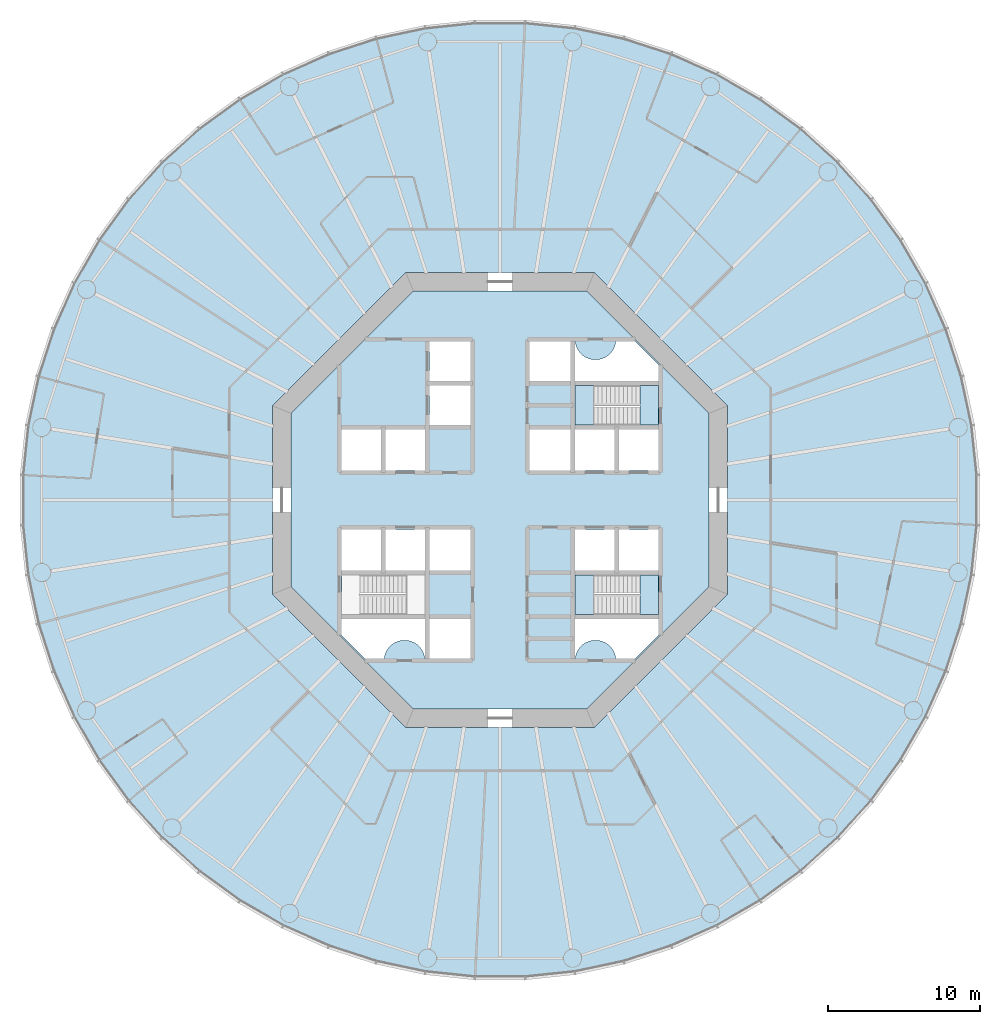
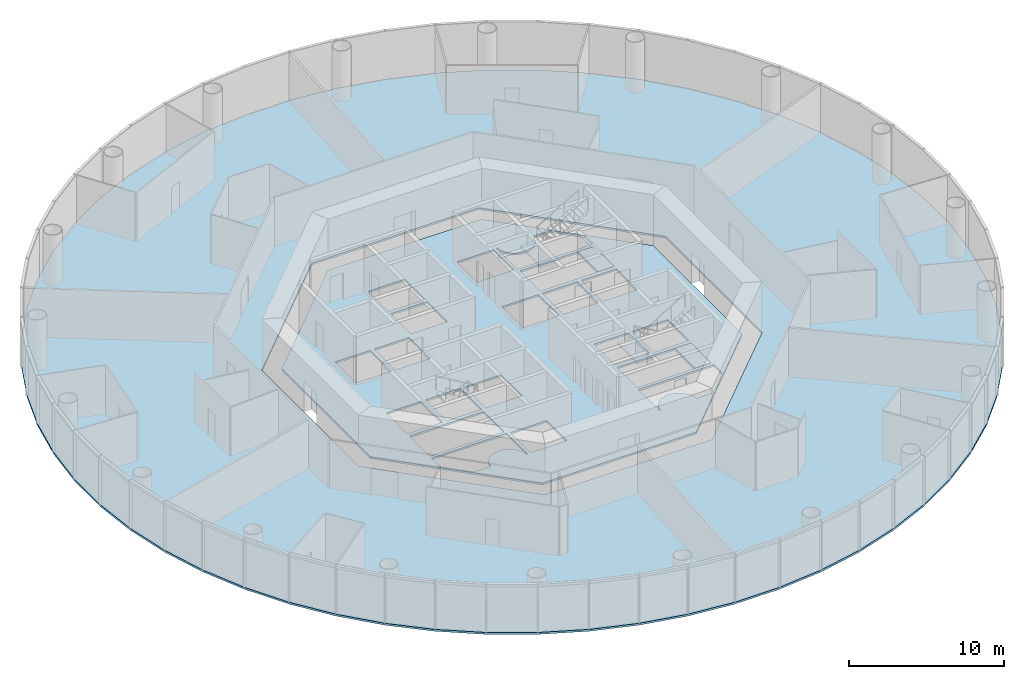
# One storey, part 2 of 13: 6 slabs, 2 elements without a shape of their own.
"""IFC4 building model written with IfcOpenShell, lengths in metres."""

from ifc_helpers import new_model, si_unit, direction, frame, origin, place, context, subcontext, project, spatial, polyline, outline, extrude, material, layer, layer_set, type_object, element, aggregate, save


model = new_model("IFC4")

# Units and contexts
model_context = context("Model", 3, precision=1e-05, world=origin(), true_north=direction((0.0, 1.0)))
body_context = subcontext(model_context, "Body", "Model", "MODEL_VIEW")
ifc_project = project(units=[si_unit("LENGTHUNIT", "METRE"), si_unit("AREAUNIT", "SQUARE_METRE"), si_unit("VOLUMEUNIT", "CUBIC_METRE"), si_unit("PLANEANGLEUNIT", "RADIAN"), si_unit("MASSUNIT", "GRAM", prefix="KILO")], contexts=[model_context])

# Site, building, storey
site_placement = place(None, origin())
site = spatial("IfcSite", under=ifc_project, at=site_placement, CompositionType="ELEMENT")
building_placement = place(site_placement, origin())
building = spatial("IfcBuilding", under=site, at=building_placement, Name="Entoto Ring Tower", CompositionType="ELEMENT")
storey_placement = place(building_placement, frame((0.0, 0.0, 84.0)))
storey = spatial("IfcBuildingStorey", under=building, at=storey_placement, Name="L18", CompositionType="ELEMENT", Elevation=84.0)

# Slabs
ifc_material_1 = material(Name="Concrete C30/37", Category="concrete")
ifc_layer_1 = layer(ifc_material_1, 0.14990234375)
ifc_layer_set_1 = layer_set([ifc_layer_1], Name="Concrete C30/37")
slab_type_1 = type_object("IfcSlabType", Name="Composite floor slab 150 mm", PredefinedType="FLOOR", material=ifc_layer_set_1)
slab_1_placement = place(storey_placement, frame((0.0, 0.0, -0.14990234375)))
element("IfcSlab", 1, at=slab_1_placement, inside=storey, type_object=slab_type_1, Name="Floor slab L18", PredefinedType="FLOOR", context=body_context, shape_type="SweptSolid", body=[
    extrude(outline(polyline([(121.2109375, 84.943359375), (120.523193359375, 88.1787109375), (119.501220703125, 91.324462890625), (118.15576171875, 94.34619140625), (116.501953125, 97.210693359375), (114.557861328125, 99.886474609375), (112.344482421875, 102.344482421875), (109.886474609375, 104.557861328125), (107.210693359375, 106.501953125), (104.34619140625, 108.15576171875), (101.324462890625, 109.501220703125), (98.1787109375, 110.523193359375), (94.943359375, 111.2109375), (91.65380859375, 111.556640625), (88.34619140625, 111.556640625), (85.056640625, 111.2109375), (81.8212890625, 110.523193359375), (78.675537109375, 109.501220703125), (75.65380859375, 108.15576171875), (72.789306640625, 106.501953125), (70.113525390625, 104.557861328125), (67.655517578125, 102.344482421875), (65.442138671875, 99.886474609375), (63.498046875, 97.210693359375), (61.84423828125, 94.34619140625), (60.498779296875, 91.324462890625), (59.476806640625, 88.1787109375), (58.7890625, 84.943359375), (58.443359375, 81.65380859375), (58.443359375, 78.34619140625), (58.7890625, 75.056640625), (59.476806640625, 71.8212890625), (60.498779296875, 68.675537109375), (61.84423828125, 65.65380859375), (63.498046875, 62.789306640625), (65.442138671875, 60.113525390625), (67.655517578125, 57.655517578125), (70.113525390625, 55.442138671875), (72.789306640625, 53.498046875), (75.65380859375, 51.84423828125), (78.675537109375, 50.498779296875), (81.8212890625, 49.476806640625), (85.056640625, 48.7890625), (88.34619140625, 48.443359375), (91.65380859375, 48.443359375), (94.943359375, 48.7890625), (98.1787109375, 49.476806640625), (101.324462890625, 50.498779296875), (104.34619140625, 51.84423828125), (107.210693359375, 53.498046875), (109.886474609375, 55.442138671875), (112.344482421875, 57.655517578125), (114.557861328125, 60.113525390625), (116.501953125, 62.789306640625), (118.15576171875, 65.65380859375), (119.501220703125, 68.675537109375), (120.523193359375, 71.8212890625), (121.2109375, 75.056640625), (121.556640625, 78.34619140625), (121.556640625, 81.65380859375), (121.2109375, 84.943359375)]), holes=[polyline([(105.0, 73.786865234375), (105.0, 86.213134765625), (96.213134765625, 95.0), (83.786865234375, 95.0), (75.0, 86.213134765625), (75.0, 73.786865234375), (83.786865234375, 65.0), (96.213134765625, 65.0), (105.0, 73.786865234375)])]), origin(), (0.0, 0.0, 1.0), 0.14990234375),
])
ifc_material_2 = material(Name="Concrete C40/50", Category="concrete")
ifc_layer_2 = layer(ifc_material_2, 0.14990234375)
ifc_layer_set_2 = layer_set([ifc_layer_2], Name="Concrete C40/50")
slab_type_2 = type_object("IfcSlabType", Name="Core floor slab 150 mm reinforced concrete C40/50", PredefinedType="FLOOR", material=ifc_layer_set_2)
slab_2_placement = place(storey_placement, frame((0.0, 0.0, -0.14990234375)))
element("IfcSlab", 2, at=slab_2_placement, inside=storey, type_object=slab_type_2, Name="Core floor L18", PredefinedType="FLOOR", context=body_context, shape_type="SweptSolid", body=[
    extrude(outline(polyline([(103.800048828125, 74.283935546875), (103.800048828125, 85.716064453125), (95.716064453125, 93.800048828125), (84.283935546875, 93.800048828125), (76.199951171875, 85.716064453125), (76.199951171875, 74.283935546875), (84.283935546875, 66.199951171875), (95.716064453125, 66.199951171875), (103.800048828125, 74.283935546875)]), holes=[polyline([(100.449951171875, 84.949951171875), (100.449951171875, 87.550048828125), (94.949951171875, 87.550048828125), (94.949951171875, 84.949951171875), (100.449951171875, 84.949951171875)]), polyline([(85.050048828125, 72.449951171875), (85.050048828125, 75.050048828125), (79.550048828125, 75.050048828125), (79.550048828125, 72.449951171875), (85.050048828125, 72.449951171875)]), polyline([(100.449951171875, 72.449951171875), (100.449951171875, 75.050048828125), (94.949951171875, 75.050048828125), (94.949951171875, 72.449951171875), (100.449951171875, 72.449951171875)]), polyline([(94.949951171875, 81.949951171875), (97.550048828125, 81.949951171875), (97.550048828125, 84.64990234375), (94.949951171875, 84.64990234375), (94.949951171875, 81.949951171875)]), polyline([(97.85009765625, 81.949951171875), (100.449951171875, 81.949951171875), (100.449951171875, 84.64990234375), (97.85009765625, 84.64990234375), (97.85009765625, 81.949951171875)]), polyline([(82.449951171875, 81.949951171875), (85.050048828125, 81.949951171875), (85.050048828125, 84.64990234375), (82.449951171875, 84.64990234375), (82.449951171875, 81.949951171875)]), polyline([(94.949951171875, 75.35009765625), (97.550048828125, 75.35009765625), (97.550048828125, 78.050048828125), (94.949951171875, 78.050048828125), (94.949951171875, 75.35009765625)]), polyline([(97.85009765625, 75.35009765625), (100.449951171875, 75.35009765625), (100.449951171875, 78.050048828125), (97.85009765625, 78.050048828125), (97.85009765625, 75.35009765625)]), polyline([(82.449951171875, 75.35009765625), (85.050048828125, 75.35009765625), (85.050048828125, 78.050048828125), (82.449951171875, 78.050048828125), (82.449951171875, 75.35009765625)]), polyline([(79.550048828125, 81.949951171875), (82.14990234375, 81.949951171875), (82.14990234375, 84.64990234375), (79.550048828125, 84.64990234375), (79.550048828125, 81.949951171875)]), polyline([(79.550048828125, 75.35009765625), (82.14990234375, 75.35009765625), (82.14990234375, 78.050048828125), (79.550048828125, 78.050048828125), (79.550048828125, 75.35009765625)]), polyline([(91.949951171875, 87.85009765625), (94.64990234375, 87.85009765625), (94.64990234375, 90.449951171875), (91.949951171875, 90.449951171875), (91.949951171875, 87.85009765625)]), polyline([(85.35009765625, 69.550048828125), (88.050048828125, 69.550048828125), (88.050048828125, 72.14990234375), (85.35009765625, 72.14990234375), (85.35009765625, 69.550048828125)]), polyline([(91.949951171875, 81.949951171875), (94.64990234375, 81.949951171875), (94.64990234375, 84.64990234375), (91.949951171875, 84.64990234375), (91.949951171875, 81.949951171875)]), polyline([(85.35009765625, 75.35009765625), (88.050048828125, 75.35009765625), (88.050048828125, 78.050048828125), (85.35009765625, 78.050048828125), (85.35009765625, 75.35009765625)]), polyline([(85.35009765625, 84.949951171875), (88.050048828125, 84.949951171875), (88.050048828125, 87.550048828125), (85.35009765625, 87.550048828125), (85.35009765625, 84.949951171875)]), polyline([(85.35009765625, 87.85009765625), (88.050048828125, 87.85009765625), (88.050048828125, 90.449951171875), (85.35009765625, 90.449951171875), (85.35009765625, 87.85009765625)]), polyline([(94.89990234375, 90.5), (94.89990234375, 87.800048828125), (100.5, 87.800048828125), (100.5, 88.874755859375), (98.874755859375, 90.5), (97.64501953125, 90.5), (97.6435546875, 90.4677734375), (97.6240234375, 90.336669921875), (97.591796875, 90.2080078125), (97.547119140625, 90.08349609375), (97.490478515625, 89.963623046875), (97.422607421875, 89.85009765625), (97.343505859375, 89.74365234375), (97.254638671875, 89.6455078125), (97.156494140625, 89.556396484375), (97.050048828125, 89.4775390625), (96.936279296875, 89.409423828125), (96.816650390625, 89.352783203125), (96.69189453125, 89.30810546875), (96.5634765625, 89.27587890625), (96.432373046875, 89.256591796875), (96.300048828125, 89.25), (96.167724609375, 89.256591796875), (96.03662109375, 89.27587890625), (95.908203125, 89.30810546875), (95.783447265625, 89.352783203125), (95.66357421875, 89.409423828125), (95.550048828125, 89.4775390625), (95.443603515625, 89.556396484375), (95.345458984375, 89.6455078125), (95.25634765625, 89.74365234375), (95.177490234375, 89.85009765625), (95.109375, 89.963623046875), (95.052734375, 90.08349609375), (95.008056640625, 90.2080078125), (94.975830078125, 90.336669921875), (94.95654296875, 90.4677734375), (94.954833984375, 90.5), (94.89990234375, 90.5)]), polyline([(79.5, 71.125244140625), (81.125244140625, 69.5), (82.35498046875, 69.5), (82.3564453125, 69.5322265625), (82.3759765625, 69.663330078125), (82.408203125, 69.7919921875), (82.452880859375, 69.91650390625), (82.509521484375, 70.036376953125), (82.577392578125, 70.14990234375), (82.656494140625, 70.25634765625), (82.745361328125, 70.3544921875), (82.843505859375, 70.443603515625), (82.949951171875, 70.5224609375), (83.063720703125, 70.590576171875), (83.183349609375, 70.647216796875), (83.30810546875, 70.69189453125), (83.4365234375, 70.72412109375), (83.567626953125, 70.743408203125), (83.699951171875, 70.75), (83.832275390625, 70.743408203125), (83.96337890625, 70.72412109375), (84.091796875, 70.69189453125), (84.216552734375, 70.647216796875), (84.33642578125, 70.590576171875), (84.449951171875, 70.5224609375), (84.556396484375, 70.443603515625), (84.654541015625, 70.3544921875), (84.74365234375, 70.25634765625), (84.822509765625, 70.14990234375), (84.890625, 70.036376953125), (84.947265625, 69.91650390625), (84.991943359375, 69.7919921875), (85.024169921875, 69.663330078125), (85.04345703125, 69.5322265625), (85.045166015625, 69.5), (85.10009765625, 69.5), (85.10009765625, 72.199951171875), (79.5, 72.199951171875), (79.5, 71.125244140625)]), polyline([(97.64501953125, 69.5), (98.874755859375, 69.5), (100.5, 71.125244140625), (100.5, 72.199951171875), (94.89990234375, 72.199951171875), (94.89990234375, 69.5), (94.954833984375, 69.5), (94.95654296875, 69.5322265625), (94.975830078125, 69.663330078125), (95.008056640625, 69.7919921875), (95.052734375, 69.91650390625), (95.109375, 70.036376953125), (95.177490234375, 70.14990234375), (95.25634765625, 70.25634765625), (95.345458984375, 70.3544921875), (95.443603515625, 70.443603515625), (95.550048828125, 70.5224609375), (95.66357421875, 70.590576171875), (95.783447265625, 70.647216796875), (95.908203125, 70.69189453125), (96.03662109375, 70.72412109375), (96.167724609375, 70.743408203125), (96.300048828125, 70.75), (96.432373046875, 70.743408203125), (96.5634765625, 70.72412109375), (96.69189453125, 70.69189453125), (96.816650390625, 70.647216796875), (96.936279296875, 70.590576171875), (97.050048828125, 70.5224609375), (97.156494140625, 70.443603515625), (97.254638671875, 70.3544921875), (97.343505859375, 70.25634765625), (97.422607421875, 70.14990234375), (97.490478515625, 70.036376953125), (97.547119140625, 69.91650390625), (97.591796875, 69.7919921875), (97.6240234375, 69.663330078125), (97.6435546875, 69.5322265625), (97.64501953125, 69.5)])]), origin(), (0.0, 0.0, 1.0), 0.14990234375),
])

# Stair, slabs
ifc_material_3 = material(Name="Concrete C40/50", Category="concrete")
stair_type = type_object("IfcStairType", Name="Exit stair 1200 mm dog-leg reinforced concrete", PredefinedType="HALF_TURN_STAIR", material=ifc_material_3)
stair_1_placement = place(storey_placement, origin())
stair_1 = element("IfcStair", 3, at=stair_1_placement, inside=storey, type_object=stair_type, Name="Exit stair 1", PredefinedType="HALF_TURN_STAIR")
ifc_material_4 = material(Name="Concrete C40/50", Category="concrete")
ifc_layer_3 = layer(ifc_material_4, 0.199951171875)
ifc_layer_set_3 = layer_set([ifc_layer_3], Name="Concrete C40/50")
slab_type_3 = type_object("IfcSlabType", Name="Stair landing 200 mm reinforced concrete", PredefinedType="LANDING", material=ifc_layer_set_3)
slab_3_placement = place(storey_placement, frame((0.0, 0.0, -0.199951171875)))
slab_3 = element("IfcSlab", 4, at=slab_3_placement, type_object=slab_type_3, Name="ST1 landing 1", PredefinedType="LANDING", context=body_context, shape_type="SweptSolid", body=[
    extrude(outline(polyline([(100.449951171875, 84.949951171875), (100.449951171875, 87.550048828125), (99.25, 87.550048828125), (99.25, 84.949951171875), (100.449951171875, 84.949951171875)])), origin(), (0.0, 0.0, 1.0), 0.199951171875),
])
slab_4_placement = place(storey_placement, frame((0.0, 0.0, 1.800048828125)))
slab_4 = element("IfcSlab", 5, at=slab_4_placement, type_object=slab_type_3, Name="ST1 landing 2", PredefinedType="LANDING", context=body_context, shape_type="SweptSolid", body=[
    extrude(outline(polyline([(94.949951171875, 84.949951171875), (96.169921875, 84.949951171875), (96.169921875, 87.550048828125), (94.949951171875, 87.550048828125), (94.949951171875, 84.949951171875)])), origin(), (0.0, 0.0, 1.0), 0.199951171875),
])
aggregate(stair_1, [slab_3, slab_4])

stair_2_placement = place(storey_placement, origin())
stair_2 = element("IfcStair", 6, at=stair_2_placement, inside=storey, type_object=stair_type, Name="Exit stair 3", PredefinedType="HALF_TURN_STAIR")
slab_5_placement = place(storey_placement, frame((0.0, 0.0, -0.199951171875)))
slab_5 = element("IfcSlab", 7, at=slab_5_placement, type_object=slab_type_3, Name="ST3 landing 1", PredefinedType="LANDING", context=body_context, shape_type="SweptSolid", body=[
    extrude(outline(polyline([(100.449951171875, 72.449951171875), (100.449951171875, 75.050048828125), (99.25, 75.050048828125), (99.25, 72.449951171875), (100.449951171875, 72.449951171875)])), origin(), (0.0, 0.0, 1.0), 0.199951171875),
])
slab_6_placement = place(storey_placement, frame((0.0, 0.0, 1.800048828125)))
slab_6 = element("IfcSlab", 8, at=slab_6_placement, type_object=slab_type_3, Name="ST3 landing 2", PredefinedType="LANDING", context=body_context, shape_type="SweptSolid", body=[
    extrude(outline(polyline([(94.949951171875, 72.449951171875), (96.169921875, 72.449951171875), (96.169921875, 75.050048828125), (94.949951171875, 75.050048828125), (94.949951171875, 72.449951171875)])), origin(), (0.0, 0.0, 1.0), 0.199951171875),
])
aggregate(stair_2, [slab_5, slab_6])

save(model, "model.ifc")
